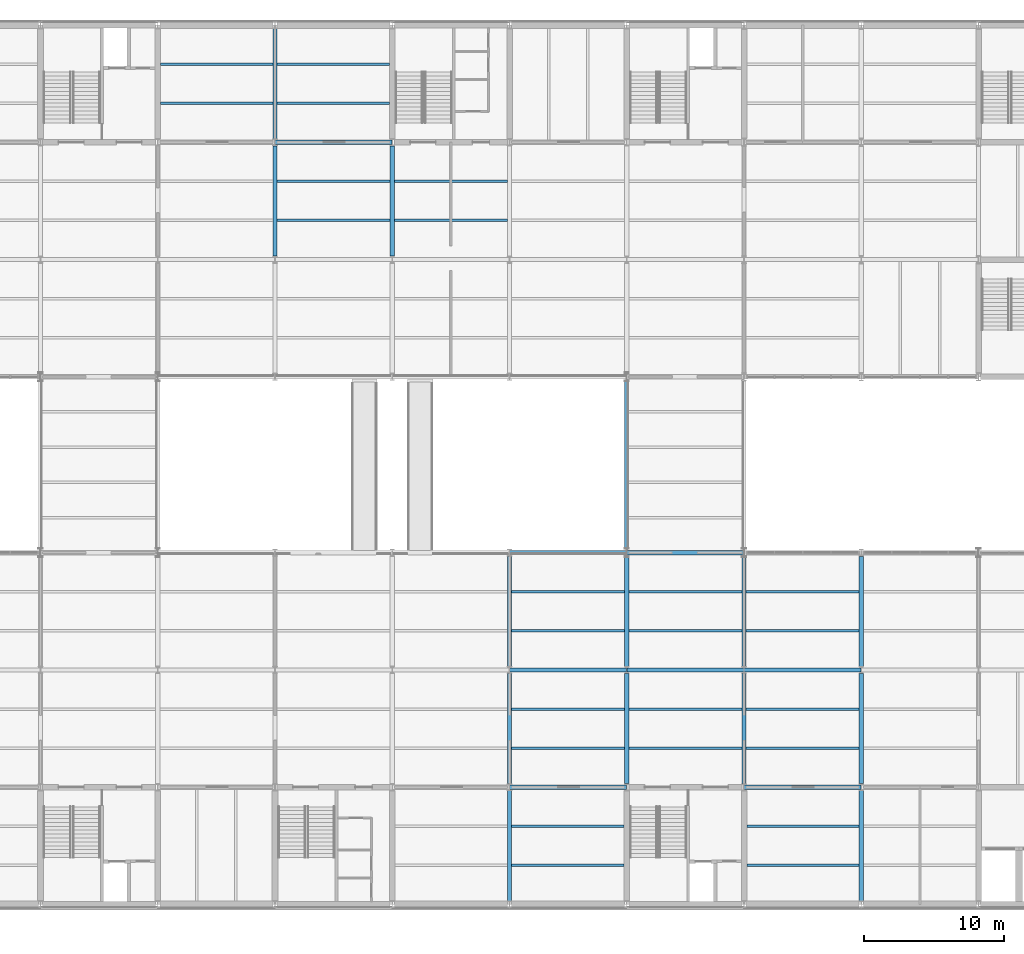
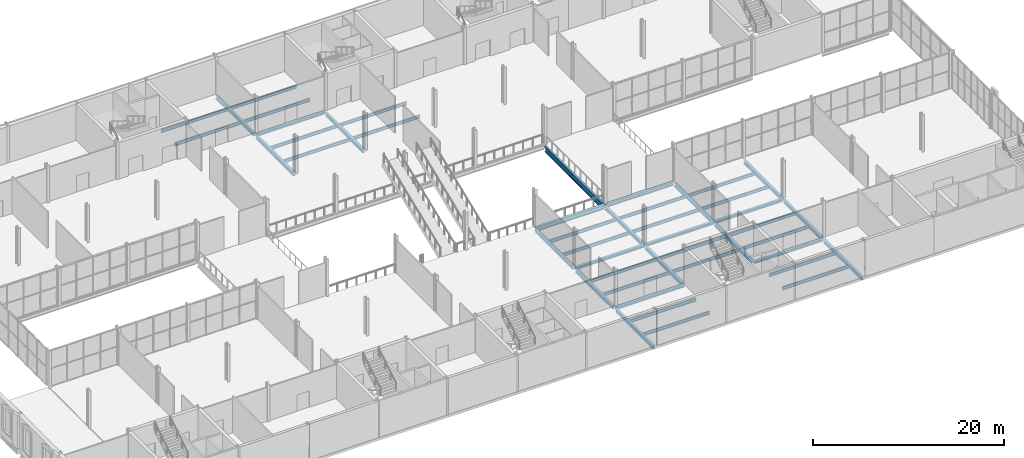
# One storey, part 19 of 61: 46 beams.
"""IFC4 building model written with IfcOpenShell, lengths in metres."""

from ifc_helpers import new_model, si_unit, direction, frame, origin, origin_2d, place, context, subcontext, project, spatial, i_section, extrude, material, material_profile, profile_set, type_object, element, save


model = new_model("IFC4")

# Units and contexts
model_context = context("Model", 3, precision=1e-05, world=origin(), true_north=direction((0.0, 1.0)))
body_context = subcontext(model_context, "Body", "Model", "MODEL_VIEW")
ifc_project = project(units=[si_unit("LENGTHUNIT", "METRE"), si_unit("AREAUNIT", "SQUARE_METRE"), si_unit("VOLUMEUNIT", "CUBIC_METRE"), si_unit("PLANEANGLEUNIT", "RADIAN"), si_unit("MASSUNIT", "GRAM", prefix="KILO")], contexts=[model_context])

# Site, building, storey
site_placement = place(None, origin())
site = spatial("IfcSite", under=ifc_project, at=site_placement, CompositionType="ELEMENT")
building_placement = place(site_placement, origin())
building = spatial("IfcBuilding", under=site, at=building_placement, Name="Galleria Vessillo Department Store", CompositionType="ELEMENT")
storey_placement = place(building_placement, frame((0.0, 0.0, 11.39990234375)))
storey = spatial("IfcBuildingStorey", under=building, at=storey_placement, Name="L02", CompositionType="ELEMENT", Elevation=11.39990234375)

# Beams
ifc_material_1 = material(Name="Steel S355 J2", Category="steel")
ifc_material_profile_1 = material_profile(ifc_material_1, i_section(OverallWidth=0.300048828125, OverallDepth=0.43994140625, WebThickness=0.011474609375, FlangeThickness=0.02099609375, FilletRadius=0.027099609375, at=origin_2d()), Name="HEA 450")
ifc_profile_set_1 = profile_set([ifc_material_profile_1], Name="Steel S355 J2")
beam_type_1 = type_object("IfcBeamType", Name="Bridge girder HEA 450", PredefinedType="BEAM", material=ifc_profile_set_1)
beam_1_placement = place(storey_placement, frame((75.610595703125, 25.199951171875, -0.369873046875), z_axis=(1.0, 0.0, 0.0), x_axis=(0.0, 1.0, 0.0)))
element("IfcBeam", 1, at=beam_1_placement, inside=storey, type_object=beam_type_1, Name="S-BM-L02-BR-x25200-75611", PredefinedType="BEAM", context=body_context, shape_type="SweptSolid", body=[
    extrude(i_section(OverallWidth=0.300048828125, OverallDepth=0.43994140625, WebThickness=0.011474609375, FlangeThickness=0.02099609375, FilletRadius=0.027099609375, at=origin_2d()), origin(), (0.0, 0.0, 1.0), 8.378662109375),
])
ifc_material_2 = material(Name="Steel S355 J2", Category="steel")
ifc_material_profile_2 = material_profile(ifc_material_2, i_section(OverallWidth=0.300048828125, OverallDepth=0.68994140625, WebThickness=0.014404296875, FlangeThickness=0.027099609375, FilletRadius=0.027099609375, at=origin_2d()), Name="HEA 700")
ifc_profile_set_2 = profile_set([ifc_material_profile_2], Name="Steel S355 J2")
beam_type_2 = type_object("IfcBeamType", Name="Bridge girder HEA 700", PredefinedType="BEAM", material=ifc_profile_set_2)
beam_2_placement = place(storey_placement, frame((75.60009765625, 25.51025390625, -0.494873046875), z_axis=(0.0, 1.0, 0.0), x_axis=(-1.0, 0.0, 0.0)))
element("IfcBeam", 2, at=beam_2_placement, inside=storey, type_object=beam_type_2, Name="S-BM-L02-BR-y75600-25510", PredefinedType="BEAM", context=body_context, shape_type="SweptSolid", body=[
    extrude(i_section(OverallWidth=0.300048828125, OverallDepth=0.68994140625, WebThickness=0.014404296875, FlangeThickness=0.027099609375, FilletRadius=0.027099609375, at=origin_2d()), origin(), (0.0, 0.0, 1.0), 11.9794921875),
])
ifc_material_3 = material(Name="Steel S355 J2", Category="steel")
ifc_material_profile_3 = material_profile(ifc_material_3, i_section(OverallWidth=0.300048828125, OverallDepth=0.43994140625, WebThickness=0.011474609375, FlangeThickness=0.02099609375, FilletRadius=0.027099609375, at=origin_2d()), Name="HEA 450")
ifc_profile_set_3 = profile_set([ifc_material_profile_3], Name="Steel S355 J2")
beam_type_3 = type_object("IfcBeamType", Name="Floor girder HEA 450", PredefinedType="BEAM", material=ifc_profile_set_3)
for number, where, z_axis, x_axis, name in (
    (3, (50.39990234375, 46.4501953125, -0.369873046875), (0.0, 1.0, 0.0), (-1.0, 0.0, 0.0), "S-BM-L02-GI-y50400-46450"),
    (4, (50.39990234375, 54.85009765625, -0.369873046875), (0.0, 1.0, 0.0), (-1.0, 0.0, 0.0), "S-BM-L02-GI-y50400-54850"),
    (5, (58.800048828125, 46.4501953125, -0.369873046875), (0.0, 1.0, 0.0), (-1.0, 0.0, 0.0), "S-BM-L02-GI-y58800-46450"),
    (6, (67.199951171875, 0.250244140625, -0.369873046875), (0.0, 1.0, 0.0), (-1.0, 0.0, 0.0), "S-BM-L02-GI-y67200-250"),
    (7, (67.199951171875, 8.650146484375, -0.369873046875), (0.0, 1.0, 0.0), (-1.0, 0.0, 0.0), "S-BM-L02-GI-y67200-8650"),
):
    element("IfcBeam", number, at=place(storey_placement, frame(where, z_axis=z_axis, x_axis=x_axis)), inside=storey, type_object=beam_type_3, Name=name, PredefinedType="BEAM", context=body_context, shape_type="SweptSolid", body=[
        extrude(i_section(OverallWidth=0.300048828125, OverallDepth=0.43994140625, WebThickness=0.011474609375, FlangeThickness=0.02099609375, FilletRadius=0.027099609375, at=origin_2d()), origin(), (0.0, 0.0, 1.0), 7.899658203125),
    ])
beam_3_placement = place(storey_placement, frame((67.199951171875, 17.050048828125, -0.369873046875), z_axis=(0.0, 1.0, 0.0), x_axis=(-1.0, 0.0, 0.0)))
element("IfcBeam", 8, at=beam_3_placement, inside=storey, type_object=beam_type_3, Name="S-BM-L02-GI-y67200-17050", PredefinedType="BEAM", context=body_context, shape_type="SweptSolid", body=[
    extrude(i_section(OverallWidth=0.300048828125, OverallDepth=0.43994140625, WebThickness=0.011474609375, FlangeThickness=0.02099609375, FilletRadius=0.027099609375, at=origin_2d()), origin(), (0.0, 0.0, 1.0), 7.887939453125),
])
beam_4_placement = place(storey_placement, frame((75.60009765625, 8.650146484375, -0.369873046875), z_axis=(0.0, 1.0, 0.0), x_axis=(-1.0, 0.0, 0.0)))
element("IfcBeam", 9, at=beam_4_placement, inside=storey, type_object=beam_type_3, Name="S-BM-L02-GI-y75600-8650", PredefinedType="BEAM", context=body_context, shape_type="SweptSolid", body=[
    extrude(i_section(OverallWidth=0.300048828125, OverallDepth=0.43994140625, WebThickness=0.011474609375, FlangeThickness=0.02099609375, FilletRadius=0.027099609375, at=origin_2d()), origin(), (0.0, 0.0, 1.0), 7.899658203125),
])
beam_5_placement = place(storey_placement, frame((75.60009765625, 17.050048828125, -0.369873046875), z_axis=(0.0, 1.0, 0.0), x_axis=(-1.0, 0.0, 0.0)))
element("IfcBeam", 10, at=beam_5_placement, inside=storey, type_object=beam_type_3, Name="S-BM-L02-GI-y75600-17050", PredefinedType="BEAM", context=body_context, shape_type="SweptSolid", body=[
    extrude(i_section(OverallWidth=0.300048828125, OverallDepth=0.43994140625, WebThickness=0.011474609375, FlangeThickness=0.02099609375, FilletRadius=0.027099609375, at=origin_2d()), origin(), (0.0, 0.0, 1.0), 7.83984375),
])
beam_6_placement = place(storey_placement, frame((84.0, 8.650146484375, -0.369873046875), z_axis=(0.0, 1.0, 0.0), x_axis=(-1.0, 0.0, 0.0)))
element("IfcBeam", 11, at=beam_6_placement, inside=storey, type_object=beam_type_3, Name="S-BM-L02-GI-y84000-8650", PredefinedType="BEAM", context=body_context, shape_type="SweptSolid", body=[
    extrude(i_section(OverallWidth=0.300048828125, OverallDepth=0.43994140625, WebThickness=0.011474609375, FlangeThickness=0.02099609375, FilletRadius=0.027099609375, at=origin_2d()), origin(), (0.0, 0.0, 1.0), 7.899658203125),
])
beam_7_placement = place(storey_placement, frame((84.0, 17.050048828125, -0.369873046875), z_axis=(0.0, 1.0, 0.0), x_axis=(-1.0, 0.0, 0.0)))
element("IfcBeam", 12, at=beam_7_placement, inside=storey, type_object=beam_type_3, Name="S-BM-L02-GI-y84000-17050", PredefinedType="BEAM", context=body_context, shape_type="SweptSolid", body=[
    extrude(i_section(OverallWidth=0.300048828125, OverallDepth=0.43994140625, WebThickness=0.011474609375, FlangeThickness=0.02099609375, FilletRadius=0.027099609375, at=origin_2d()), origin(), (0.0, 0.0, 1.0), 7.83984375),
])
for number, where, z_axis, x_axis, name in (
    (13, (92.39990234375, 0.250244140625, -0.369873046875), (0.0, 1.0, 0.0), (-1.0, 0.0, 0.0), "S-BM-L02-GI-y92400-250"),
    (14, (92.39990234375, 8.650146484375, -0.369873046875), (0.0, 1.0, 0.0), (-1.0, 0.0, 0.0), "S-BM-L02-GI-y92400-8650"),
):
    element("IfcBeam", number, at=place(storey_placement, frame(where, z_axis=z_axis, x_axis=x_axis)), inside=storey, type_object=beam_type_3, Name=name, PredefinedType="BEAM", context=body_context, shape_type="SweptSolid", body=[
        extrude(i_section(OverallWidth=0.300048828125, OverallDepth=0.43994140625, WebThickness=0.011474609375, FlangeThickness=0.02099609375, FilletRadius=0.027099609375, at=origin_2d()), origin(), (0.0, 0.0, 1.0), 7.899658203125),
    ])
beam_8_placement = place(storey_placement, frame((92.39990234375, 17.050048828125, -0.369873046875), z_axis=(0.0, 1.0, 0.0), x_axis=(-1.0, 0.0, 0.0)))
element("IfcBeam", 15, at=beam_8_placement, inside=storey, type_object=beam_type_3, Name="S-BM-L02-GI-y92400-17050", PredefinedType="BEAM", context=body_context, shape_type="SweptSolid", body=[
    extrude(i_section(OverallWidth=0.300048828125, OverallDepth=0.43994140625, WebThickness=0.011474609375, FlangeThickness=0.02099609375, FilletRadius=0.027099609375, at=origin_2d()), origin(), (0.0, 0.0, 1.0), 7.887939453125),
])
ifc_material_4 = material(Name="Steel S355 J2", Category="steel")
ifc_material_profile_4 = material_profile(ifc_material_4, i_section(OverallWidth=0.179931640625, OverallDepth=0.39990234375, WebThickness=0.008544921875, FlangeThickness=0.013427734375, FilletRadius=0.02099609375, at=origin_2d()), Name="IPE 400")
ifc_profile_set_4 = profile_set([ifc_material_profile_4], Name="Steel S355 J2")
beam_type_4 = type_object("IfcBeamType", Name="Floor joist IPE 400", PredefinedType="JOIST", material=ifc_profile_set_4)
for number, where, z_axis, x_axis, name in (
    (16, (42.2001953125, 57.39990234375, -0.349853515625), (1.0, 0.0, 0.0), (0.0, 1.0, 0.0), "S-BM-L02-JO-x57400-42200"),
    (17, (42.2001953125, 60.199951171875, -0.349853515625), (1.0, 0.0, 0.0), (0.0, 1.0, 0.0), "S-BM-L02-JO-x60200-42200"),
):
    element("IfcBeam", number, at=place(storey_placement, frame(where, z_axis=z_axis, x_axis=x_axis)), inside=storey, type_object=beam_type_4, Name=name, PredefinedType="JOIST", context=body_context, shape_type="SweptSolid", body=[
        extrude(i_section(OverallWidth=0.179931640625, OverallDepth=0.39990234375, WebThickness=0.008544921875, FlangeThickness=0.013427734375, FilletRadius=0.02099609375, at=origin_2d()), origin(), (0.0, 0.0, 1.0), 8.049560546875),
    ])
for number, where, z_axis, x_axis, name in (
    (18, (50.550048828125, 49.0, -0.349853515625), (1.0, 0.0, 0.0), (0.0, 1.0, 0.0), "S-BM-L02-JO-x49000-50550"),
    (19, (50.550048828125, 51.800048828125, -0.349853515625), (1.0, 0.0, 0.0), (0.0, 1.0, 0.0), "S-BM-L02-JO-x51800-50550"),
):
    element("IfcBeam", number, at=place(storey_placement, frame(where, z_axis=z_axis, x_axis=x_axis)), inside=storey, type_object=beam_type_4, Name=name, PredefinedType="JOIST", context=body_context, shape_type="SweptSolid", body=[
        extrude(i_section(OverallWidth=0.179931640625, OverallDepth=0.39990234375, WebThickness=0.008544921875, FlangeThickness=0.013427734375, FilletRadius=0.02099609375, at=origin_2d()), origin(), (0.0, 0.0, 1.0), 8.099853515625),
    ])
for number, where, z_axis, x_axis, name in (
    (20, (50.550048828125, 57.39990234375, -0.349853515625), (1.0, 0.0, 0.0), (0.0, 1.0, 0.0), "S-BM-L02-JO-x57400-50550"),
    (21, (50.550048828125, 60.199951171875, -0.349853515625), (1.0, 0.0, 0.0), (0.0, 1.0, 0.0), "S-BM-L02-JO-x60200-50550"),
):
    element("IfcBeam", number, at=place(storey_placement, frame(where, z_axis=z_axis, x_axis=x_axis)), inside=storey, type_object=beam_type_4, Name=name, PredefinedType="JOIST", context=body_context, shape_type="SweptSolid", body=[
        extrude(i_section(OverallWidth=0.179931640625, OverallDepth=0.39990234375, WebThickness=0.008544921875, FlangeThickness=0.013427734375, FilletRadius=0.02099609375, at=origin_2d()), origin(), (0.0, 0.0, 1.0), 8.0498046875),
    ])
for number, where, z_axis, x_axis, name in (
    (22, (58.9501953125, 49.0, -0.349853515625), (1.0, 0.0, 0.0), (0.0, 1.0, 0.0), "S-BM-L02-JO-x49000-58950"),
    (23, (58.9501953125, 51.800048828125, -0.349853515625), (1.0, 0.0, 0.0), (0.0, 1.0, 0.0), "S-BM-L02-JO-x51800-58950"),
):
    element("IfcBeam", number, at=place(storey_placement, frame(where, z_axis=z_axis, x_axis=x_axis)), inside=storey, type_object=beam_type_4, Name=name, PredefinedType="JOIST", context=body_context, shape_type="SweptSolid", body=[
        extrude(i_section(OverallWidth=0.179931640625, OverallDepth=0.39990234375, WebThickness=0.008544921875, FlangeThickness=0.013427734375, FilletRadius=0.02099609375, at=origin_2d()), origin(), (0.0, 0.0, 1.0), 8.099609375),
    ])
for number, where, z_axis, x_axis, name in (
    (24, (67.35009765625, 2.800048828125, -0.349853515625), (1.0, 0.0, 0.0), (0.0, 1.0, 0.0), "S-BM-L02-JO-x2800-67350"),
    (25, (67.35009765625, 5.60009765625, -0.349853515625), (1.0, 0.0, 0.0), (0.0, 1.0, 0.0), "S-BM-L02-JO-x5600-67350"),
):
    element("IfcBeam", number, at=place(storey_placement, frame(where, z_axis=z_axis, x_axis=x_axis)), inside=storey, type_object=beam_type_4, Name=name, PredefinedType="JOIST", context=body_context, shape_type="SweptSolid", body=[
        extrude(i_section(OverallWidth=0.179931640625, OverallDepth=0.39990234375, WebThickness=0.008544921875, FlangeThickness=0.013427734375, FilletRadius=0.02099609375, at=origin_2d()), origin(), (0.0, 0.0, 1.0), 8.0498046875),
    ])
for number, where, z_axis, x_axis, name in (
    (26, (67.35009765625, 11.199951171875, -0.349853515625), (1.0, 0.0, 0.0), (0.0, 1.0, 0.0), "S-BM-L02-JO-x11200-67350"),
    (27, (67.35009765625, 14.0, -0.349853515625), (1.0, 0.0, 0.0), (0.0, 1.0, 0.0), "S-BM-L02-JO-x14000-67350"),
    (28, (67.35009765625, 19.60009765625, -0.349853515625), (1.0, 0.0, 0.0), (0.0, 1.0, 0.0), "S-BM-L02-JO-x19600-67350"),
    (29, (67.35009765625, 22.39990234375, -0.349853515625), (1.0, 0.0, 0.0), (0.0, 1.0, 0.0), "S-BM-L02-JO-x22400-67350"),
):
    element("IfcBeam", number, at=place(storey_placement, frame(where, z_axis=z_axis, x_axis=x_axis)), inside=storey, type_object=beam_type_4, Name=name, PredefinedType="JOIST", context=body_context, shape_type="SweptSolid", body=[
        extrude(i_section(OverallWidth=0.179931640625, OverallDepth=0.39990234375, WebThickness=0.008544921875, FlangeThickness=0.013427734375, FilletRadius=0.02099609375, at=origin_2d()), origin(), (0.0, 0.0, 1.0), 8.099853515625),
    ])
for number, where, z_axis, x_axis, name in (
    (30, (75.750244140625, 11.199951171875, -0.349853515625), (1.0, 0.0, 0.0), (0.0, 1.0, 0.0), "S-BM-L02-JO-x11200-75750"),
    (31, (75.750244140625, 14.0, -0.349853515625), (1.0, 0.0, 0.0), (0.0, 1.0, 0.0), "S-BM-L02-JO-x14000-75750"),
    (32, (75.750244140625, 19.60009765625, -0.349853515625), (1.0, 0.0, 0.0), (0.0, 1.0, 0.0), "S-BM-L02-JO-x19600-75750"),
    (33, (75.750244140625, 22.39990234375, -0.349853515625), (1.0, 0.0, 0.0), (0.0, 1.0, 0.0), "S-BM-L02-JO-x22400-75750"),
):
    element("IfcBeam", number, at=place(storey_placement, frame(where, z_axis=z_axis, x_axis=x_axis)), inside=storey, type_object=beam_type_4, Name=name, PredefinedType="JOIST", context=body_context, shape_type="SweptSolid", body=[
        extrude(i_section(OverallWidth=0.179931640625, OverallDepth=0.39990234375, WebThickness=0.008544921875, FlangeThickness=0.013427734375, FilletRadius=0.02099609375, at=origin_2d()), origin(), (0.0, 0.0, 1.0), 8.099609375),
    ])
for number, where, z_axis, x_axis, name in (
    (34, (84.2001953125, 2.800048828125, -0.349853515625), (1.0, 0.0, 0.0), (0.0, 1.0, 0.0), "S-BM-L02-JO-x2800-84200"),
    (35, (84.2001953125, 5.60009765625, -0.349853515625), (1.0, 0.0, 0.0), (0.0, 1.0, 0.0), "S-BM-L02-JO-x5600-84200"),
):
    element("IfcBeam", number, at=place(storey_placement, frame(where, z_axis=z_axis, x_axis=x_axis)), inside=storey, type_object=beam_type_4, Name=name, PredefinedType="JOIST", context=body_context, shape_type="SweptSolid", body=[
        extrude(i_section(OverallWidth=0.179931640625, OverallDepth=0.39990234375, WebThickness=0.008544921875, FlangeThickness=0.013427734375, FilletRadius=0.02099609375, at=origin_2d()), origin(), (0.0, 0.0, 1.0), 8.049560546875),
    ])
for number, where, z_axis, x_axis, name in (
    (36, (84.150146484375, 11.199951171875, -0.349853515625), (1.0, 0.0, 0.0), (0.0, 1.0, 0.0), "S-BM-L02-JO-x11200-84150"),
    (37, (84.150146484375, 14.0, -0.349853515625), (1.0, 0.0, 0.0), (0.0, 1.0, 0.0), "S-BM-L02-JO-x14000-84150"),
    (38, (84.150146484375, 19.60009765625, -0.349853515625), (1.0, 0.0, 0.0), (0.0, 1.0, 0.0), "S-BM-L02-JO-x19600-84150"),
    (39, (84.150146484375, 22.39990234375, -0.349853515625), (1.0, 0.0, 0.0), (0.0, 1.0, 0.0), "S-BM-L02-JO-x22400-84150"),
):
    element("IfcBeam", number, at=place(storey_placement, frame(where, z_axis=z_axis, x_axis=x_axis)), inside=storey, type_object=beam_type_4, Name=name, PredefinedType="JOIST", context=body_context, shape_type="SweptSolid", body=[
        extrude(i_section(OverallWidth=0.179931640625, OverallDepth=0.39990234375, WebThickness=0.008544921875, FlangeThickness=0.013427734375, FilletRadius=0.02099609375, at=origin_2d()), origin(), (0.0, 0.0, 1.0), 8.099609375),
    ])
ifc_material_5 = material(Name="Steel S355 J2", Category="steel")
ifc_material_profile_5 = material_profile(ifc_material_5, i_section(OverallWidth=0.300048828125, OverallDepth=0.330078125, WebThickness=0.009521484375, FlangeThickness=0.0166015625, FilletRadius=0.027099609375, at=origin_2d()), Name="HEA 340")
ifc_profile_set_5 = profile_set([ifc_material_profile_5], Name="Steel S355 J2")
beam_type_5 = type_object("IfcBeamType", Name="Floor tie girder HEA 340", PredefinedType="BEAM", material=ifc_profile_set_5)
for number, where, z_axis, x_axis, name in (
    (40, (67.207275390625, 8.39990234375, -0.31494140625), (1.0, 0.0, 0.0), (0.0, 1.0, 0.0), "S-BM-L02-TI-x8400-67207"),
    (41, (84.00732421875, 8.39990234375, -0.31494140625), (1.0, 0.0, 0.0), (0.0, 1.0, 0.0), "S-BM-L02-TI-x8400-84007"),
    (42, (67.207275390625, 16.800048828125, -0.31494140625), (1.0, 0.0, 0.0), (0.0, 1.0, 0.0), "S-BM-L02-TI-x16800-67207"),
    (43, (75.607421875, 16.800048828125, -0.31494140625), (1.0, 0.0, 0.0), (0.0, 1.0, 0.0), "S-BM-L02-TI-x16800-75607"),
    (44, (84.00732421875, 16.800048828125, -0.31494140625), (1.0, 0.0, 0.0), (0.0, 1.0, 0.0), "S-BM-L02-TI-x16800-84007"),
    (45, (50.407470703125, 54.60009765625, -0.31494140625), (1.0, 0.0, 0.0), (0.0, 1.0, 0.0), "S-BM-L02-TI-x54600-50407"),
):
    element("IfcBeam", number, at=place(storey_placement, frame(where, z_axis=z_axis, x_axis=x_axis)), inside=storey, type_object=beam_type_5, Name=name, PredefinedType="BEAM", context=body_context, shape_type="SweptSolid", body=[
        extrude(i_section(OverallWidth=0.300048828125, OverallDepth=0.330078125, WebThickness=0.009521484375, FlangeThickness=0.0166015625, FilletRadius=0.027099609375, at=origin_2d()), origin(), (0.0, 0.0, 1.0), 8.38525390625),
    ])
ifc_material_6 = material(Name="Steel S355 J2", Category="steel")
ifc_material_profile_6 = material_profile(ifc_material_6, i_section(OverallWidth=0.300048828125, OverallDepth=0.5400390625, WebThickness=0.012451171875, FlangeThickness=0.02392578125, FilletRadius=0.027099609375, at=origin_2d()), Name="HEA 550")
ifc_profile_set_6 = profile_set([ifc_material_profile_6], Name="Steel S355 J2")
beam_type_6 = type_object("IfcBeamType", Name="Trimmer beam HEA 550", PredefinedType="BEAM", material=ifc_profile_set_6)
beam_9_placement = place(storey_placement, frame((67.210693359375, 25.199951171875, -0.419921875), z_axis=(1.0, 0.0, 0.0), x_axis=(0.0, 1.0, 0.0)))
element("IfcBeam", 46, at=beam_9_placement, inside=storey, type_object=beam_type_6, Name="S-BM-L02-TR-x25200-67211", PredefinedType="BEAM", context=body_context, shape_type="SweptSolid", body=[
    extrude(i_section(OverallWidth=0.300048828125, OverallDepth=0.5400390625, WebThickness=0.012451171875, FlangeThickness=0.02392578125, FilletRadius=0.027099609375, at=origin_2d()), origin(), (0.0, 0.0, 1.0), 8.378662109375),
])

save(model, "model.ifc")
